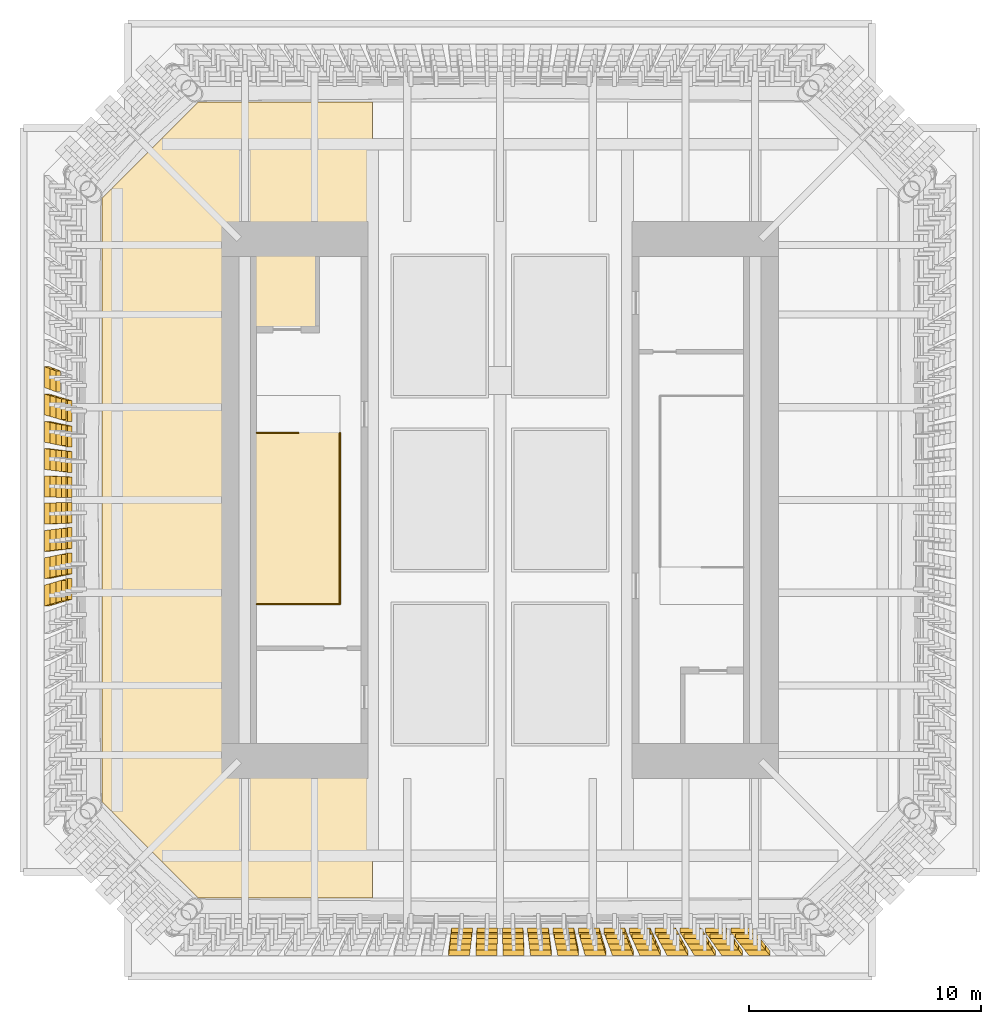
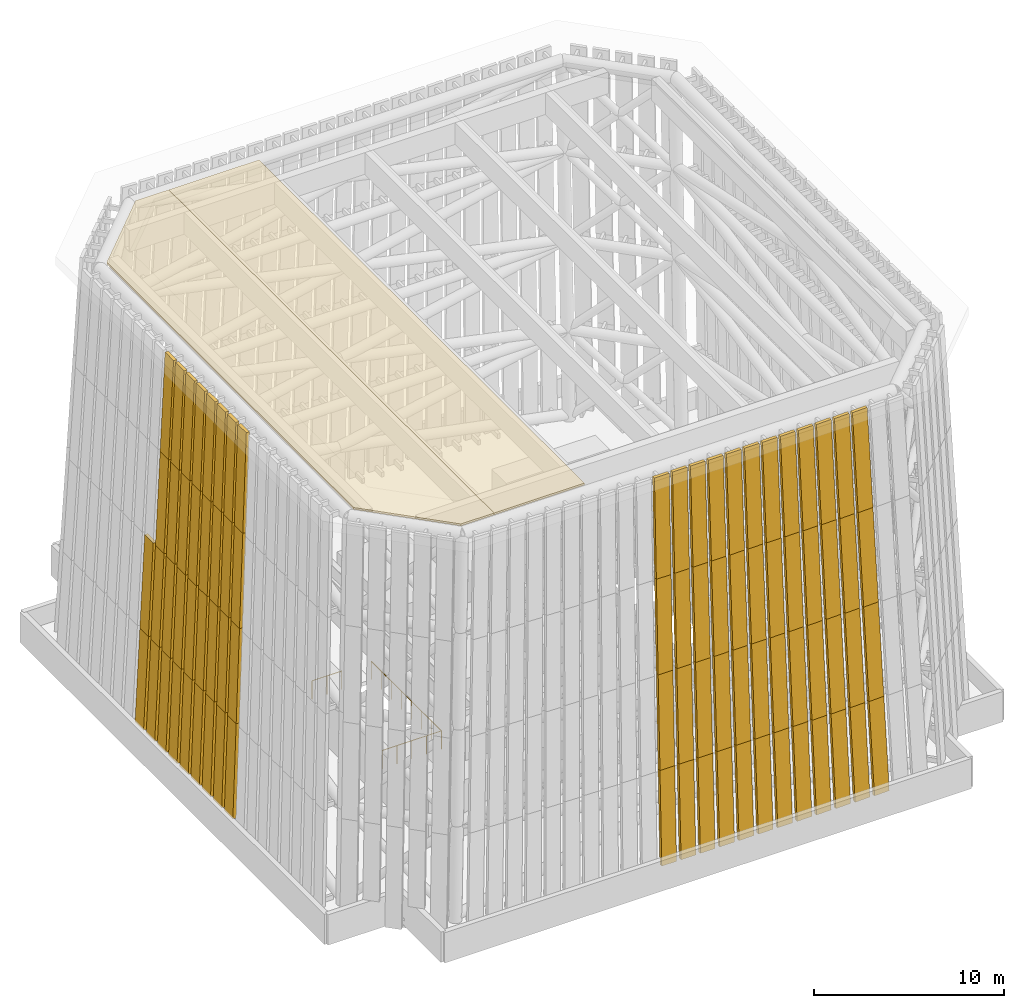
# One storey, part 8 of 13: 82 shading devices, 2 coverings, 2 railings.
"""IFC4 building model written with IfcOpenShell, lengths in metres."""

from ifc_helpers import new_model, si_unit, direction, frame, origin, origin_2d, place, context, subcontext, project, spatial, polyline, rectangle, circle, outline, extrude, source, transform, mapped, material, layer, layer_set, material_profile, profile_set, type_object, element, save


model = new_model("IFC4")

# Units and contexts
model_context = context("Model", 3, precision=1e-05, world=origin(), true_north=direction((0.0, 1.0)))
body_context = subcontext(model_context, "Body", "Model", "MODEL_VIEW")
ifc_project = project(units=[si_unit("LENGTHUNIT", "METRE"), si_unit("AREAUNIT", "SQUARE_METRE"), si_unit("VOLUMEUNIT", "CUBIC_METRE"), si_unit("PLANEANGLEUNIT", "RADIAN"), si_unit("MASSUNIT", "GRAM", prefix="KILO")], contexts=[model_context])

# Site, building, storey
site_placement = place(None, origin())
site = spatial("IfcSite", under=ifc_project, at=site_placement, CompositionType="ELEMENT")
building_placement = place(site_placement, origin())
building = spatial("IfcBuilding", under=site, at=building_placement, Name="Peilmerk Tower", CompositionType="ELEMENT")
storey_placement = place(building_placement, frame((0.0, 0.0, 307.800048828125)))
storey = spatial("IfcBuildingStorey", under=building, at=storey_placement, Name="RF", CompositionType="ELEMENT", Elevation=307.800048828125)

# Railings
ifc_material_1 = material(Name="Steel flat bar balustrade", Category="steel")
railing_type = type_object("IfcRailingType", Name="GR1 1200 stair guard", PredefinedType="GUARDRAIL", material=ifc_material_1)
railing_1_placement = place(storey_placement, frame((-10.5, 2.89990234375, 0.0)))
element("IfcRailing", 1, at=railing_1_placement, inside=storey, type_object=railing_type, Name="Guard stair 1 RF", PredefinedType="GUARDRAIL", context=body_context, shape_type="SweptSolid", body=[
    extrude(circle(Radius=0.02392578125, at=origin_2d()), frame((0.0, 0.0, 1.17578125), z_axis=(1.0, 0.0, 0.0), x_axis=(0.0, 1.0, 0.0)), (0.0, 0.0, 1.0), 1.800048828125),
    extrude(circle(Radius=0.02099609375, at=origin_2d()), origin(), (0.0, 0.0, 1.0), 1.15185546875),
    extrude(circle(Radius=0.02099609375, at=origin_2d()), frame((0.89990234375, 0.0, 0.0)), (0.0, 0.0, 1.0), 1.15185546875),
    extrude(circle(Radius=0.02099609375, at=origin_2d()), frame((1.800048828125, 0.0, 0.0)), (0.0, 0.0, 1.0), 1.15185546875),
])
railing_2_placement = place(storey_placement, frame((-10.5, -4.5, 0.0)))
element("IfcRailing", 2, at=railing_2_placement, inside=storey, type_object=railing_type, Name="Guard stair 1 RF well", PredefinedType="GUARDRAIL", context=body_context, shape_type="SweptSolid", body=[
    extrude(circle(Radius=0.02392578125, at=origin_2d()), frame((0.0, 0.0, 1.17578125), z_axis=(1.0, 0.0, 0.0), x_axis=(0.0, 1.0, 0.0)), (0.0, 0.0, 1.0), 3.60009765625),
    extrude(circle(Radius=0.02392578125, at=origin_2d()), frame((3.60009765625, 0.0, 1.17578125), z_axis=(0.0, 1.0, 0.0), x_axis=(-1.0, 0.0, 0.0)), (0.0, 0.0, 1.0), 7.39990234375),
    extrude(circle(Radius=0.02099609375, at=origin_2d()), origin(), (0.0, 0.0, 1.0), 1.15185546875),
    extrude(circle(Radius=0.02099609375, at=origin_2d()), frame((0.89990234375, 0.0, 0.0)), (0.0, 0.0, 1.0), 1.15185546875),
    extrude(circle(Radius=0.02099609375, at=origin_2d()), frame((1.800048828125, 0.0, 0.0)), (0.0, 0.0, 1.0), 1.15185546875),
    extrude(circle(Radius=0.02099609375, at=origin_2d()), frame((2.7001953125, 0.0, 0.0)), (0.0, 0.0, 1.0), 1.15185546875),
    extrude(circle(Radius=0.02099609375, at=origin_2d()), frame((3.60009765625, 0.0, 0.0)), (0.0, 0.0, 1.0), 1.15185546875),
    extrude(circle(Radius=0.02099609375, at=origin_2d()), frame((3.60009765625, 1.05712890625, 0.0)), (0.0, 0.0, 1.0), 1.15185546875),
    extrude(circle(Radius=0.02099609375, at=origin_2d()), frame((3.60009765625, 2.1142578125, 0.0)), (0.0, 0.0, 1.0), 1.15185546875),
    extrude(circle(Radius=0.02099609375, at=origin_2d()), frame((3.60009765625, 3.17138671875, 0.0)), (0.0, 0.0, 1.0), 1.15185546875),
    extrude(circle(Radius=0.02099609375, at=origin_2d()), frame((3.60009765625, 4.228515625, 0.0)), (0.0, 0.0, 1.0), 1.15185546875),
    extrude(circle(Radius=0.02099609375, at=origin_2d()), frame((3.60009765625, 5.28564453125, 0.0)), (0.0, 0.0, 1.0), 1.15185546875),
    extrude(circle(Radius=0.02099609375, at=origin_2d()), frame((3.60009765625, 6.3427734375, 0.0)), (0.0, 0.0, 1.0), 1.15185546875),
    extrude(circle(Radius=0.02099609375, at=origin_2d()), frame((3.60009765625, 7.39990234375, 0.0)), (0.0, 0.0, 1.0), 1.15185546875),
])

# Coverings
ifc_material_2 = material(Name="Aluminium EN AW-6063 T6", Category="aluminium")
ifc_layer = layer(ifc_material_2, 0.1201171875)
ifc_layer_set = layer_set([ifc_layer], Name="Aluminium EN AW-6063 T6")
covering_type = type_object("IfcCoveringType", Name="LV1 120 louvre roof bay", PredefinedType="USERDEFINED", material=ifc_layer_set)
covering_1_placement = place(storey_placement, frame((0.0, 0.0, 24.199951171875)))
element("IfcCovering", 3, at=covering_1_placement, inside=storey, type_object=covering_type, Name="Crown louvre roof bay 1", ObjectType="LOUVRE ROOF", PredefinedType="USERDEFINED", context=body_context, shape_type="SweptSolid", body=[
    extrude(outline(polyline([(-13.0205078125, -17.162353515625), (-11.0, -17.162353515625), (-11.0, 17.162353515625), (-13.0205078125, 17.162353515625), (-17.162353515625, 13.0205078125), (-17.162353515625, -13.0205078125), (-13.0205078125, -17.162353515625)])), origin(), (0.0, 0.0, 1.0), 0.1201171875),
])
covering_2_placement = place(storey_placement, frame((0.0, 0.0, 24.199951171875)))
element("IfcCovering", 4, at=covering_2_placement, inside=storey, type_object=covering_type, Name="Crown louvre roof bay 2", ObjectType="LOUVRE ROOF", PredefinedType="USERDEFINED", context=body_context, shape_type="SweptSolid", body=[
    extrude(outline(polyline([(-11.0, -17.162353515625), (-5.5, -17.162353515625), (-5.5, 17.162353515625), (-11.0, 17.162353515625), (-11.0, -17.162353515625)])), origin(), (0.0, 0.0, 1.0), 0.1201171875),
])

# Shading devices
ifc_material_3 = material(Name="GRP composite, board-marked concrete finish", Category="concrete")
ifc_material_profile = material_profile(ifc_material_3, rectangle(XDim=0.199951171875, YDim=0.89990234375, at=origin_2d()), Name="CF1 200x900")
ifc_profile_set = profile_set([ifc_material_profile], Name="GRP composite, board-marked concrete finish")
shading_device_type = type_object("IfcShadingDeviceType", Name="CF1 200x900 GRP crown fin", PredefinedType="USERDEFINED", material=ifc_profile_set)
shared_shape_1 = source(origin(), body_context, "Body", "SweptSolid", [
    extrude(rectangle(XDim=0.199951171875, YDim=0.89990234375, at=origin_2d()), origin(), (0.0, 0.0, 1.0), 6.0078125),
])
for number, where, z_axis, x_axis, name in (
    (5, (11.190673828125, -19.541015625, 0.0), (-0.031899551915, 0.04027064452, 0.998679474996), (-0.001285658431, -0.999188808579, 0.040250116676), "Crown fin CF1 SE_S 3 tier 1"),
    (6, (10.9990234375, -19.299072265625, 6.0), (-0.031858956815, 0.040270696689, 0.998680768744), (-0.001284023979, -0.999188806477, 0.040250221046), "Crown fin CF1 SE_S 3 tier 2"),
    (7, (10.8076171875, -19.05712890625, 12.0), (-0.031899551915, 0.04027064452, 0.998679474996), (-0.001285658431, -0.999188808579, 0.040250116676), "Crown fin CF1 SE_S 3 tier 3"),
):
    element("IfcShadingDevice", number, at=place(storey_placement, frame(where, z_axis=z_axis, x_axis=x_axis)), inside=storey, type_object=shading_device_type, Name=name, ObjectType="CROWN FIN", PredefinedType="USERDEFINED", context=body_context, shape_type="MappedRepresentation", body=[
        mapped(shared_shape_1, transform((0.0, 0.0, 0.0), scale=1.0)),
    ])
shared_shape_2 = source(origin(), body_context, "Body", "SweptSolid", [
    extrude(rectangle(XDim=0.199951171875, YDim=0.89990234375, at=origin_2d()), origin(), (0.0, 0.0, 1.0), 6.36376953125),
])
shading_device_1_placement = place(storey_placement, frame((10.615966796875, -18.815185546875, 18.0), z_axis=(-0.031880100984, 0.040281716045, 0.998679649594), x_axis=(-0.001285228315, -0.999188362298, 0.040261207578)))
element("IfcShadingDevice", 8, at=shading_device_1_placement, inside=storey, type_object=shading_device_type, Name="Crown fin CF1 SE_S 3 tier 4", ObjectType="CROWN FIN", PredefinedType="USERDEFINED", context=body_context, shape_type="MappedRepresentation", body=[
    mapped(shared_shape_2, transform((0.0, 0.0, 0.0), scale=1.0)),
])
shared_shape_3 = source(origin(), body_context, "Body", "SweptSolid", [
    extrude(rectangle(XDim=0.199951171875, YDim=0.89990234375, at=origin_2d()), origin(), (0.0, 0.0, 1.0), 6.00732421875),
])
for number, where, z_axis, x_axis, name in (
    (9, (10.0126953125, -19.541015625, 0.0), (-0.028529640468, 0.040274748865, 0.998781259445), (-0.001149957131, -0.999188643152, 0.040258328266), "Crown fin CF1 SE_S 4 tier 1"),
    (10, (9.84130859375, -19.299072265625, 6.0), (-0.028529640468, 0.040274748865, 0.998781259445), (-0.001149957131, -0.999188643152, 0.040258328266), "Crown fin CF1 SE_S 4 tier 2"),
    (11, (9.669921875, -19.05712890625, 12.0), (-0.028529640468, 0.040274748865, 0.998781259445), (-0.001149957131, -0.999188643152, 0.040258328266), "Crown fin CF1 SE_S 4 tier 3"),
):
    element("IfcShadingDevice", number, at=place(storey_placement, frame(where, z_axis=z_axis, x_axis=x_axis)), inside=storey, type_object=shading_device_type, Name=name, ObjectType="CROWN FIN", PredefinedType="USERDEFINED", context=body_context, shape_type="MappedRepresentation", body=[
        mapped(shared_shape_3, transform((0.0, 0.0, 0.0), scale=1.0)),
    ])
shared_shape_4 = source(origin(), body_context, "Body", "SweptSolid", [
    extrude(rectangle(XDim=0.199951171875, YDim=0.89990234375, at=origin_2d()), origin(), (0.0, 0.0, 1.0), 6.36328125),
])
shading_device_2_placement = place(storey_placement, frame((9.49853515625, -18.815185546875, 18.0), z_axis=(-0.028545351571, 0.040285778427, 0.998780365726), x_axis=(-0.001150906016, -0.999188198517, 0.040269335217)))
element("IfcShadingDevice", 12, at=shading_device_2_placement, inside=storey, type_object=shading_device_type, Name="Crown fin CF1 SE_S 4 tier 4", ObjectType="CROWN FIN", PredefinedType="USERDEFINED", context=body_context, shape_type="MappedRepresentation", body=[
    mapped(shared_shape_4, transform((0.0, 0.0, 0.0), scale=1.0)),
])
shared_shape_5 = source(origin(), body_context, "Body", "SweptSolid", [
    extrude(rectangle(XDim=0.199951171875, YDim=0.89990234375, at=origin_2d()), origin(), (0.0, 0.0, 1.0), 6.0068359375),
])
for number, where, z_axis, x_axis, name in (
    (13, (8.834716796875, -19.541015625, 0.0), (-0.025199374381, 0.040278354858, 0.998870685154), (-0.001015813679, -0.999188497797, 0.040265543491), "Crown fin CF1 SE_S 5 tier 1"),
    (14, (8.683349609375, -19.299072265625, 6.0), (-0.025158755976, 0.040278396078, 0.998871707381), (-0.001014177347, -0.999188496135, 0.040265625972), "Crown fin CF1 SE_S 5 tier 2"),
    (15, (8.5322265625, -19.05712890625, 12.0), (-0.025158755976, 0.040278396078, 0.998871707381), (-0.001014177347, -0.999188496135, 0.040265625972), "Crown fin CF1 SE_S 5 tier 3"),
):
    element("IfcShadingDevice", number, at=place(storey_placement, frame(where, z_axis=z_axis, x_axis=x_axis)), inside=storey, type_object=shading_device_type, Name=name, ObjectType="CROWN FIN", PredefinedType="USERDEFINED", context=body_context, shape_type="MappedRepresentation", body=[
        mapped(shared_shape_5, transform((0.0, 0.0, 0.0), scale=1.0)),
    ])
shared_shape_6 = source(origin(), body_context, "Body", "SweptSolid", [
    extrude(rectangle(XDim=0.199951171875, YDim=0.89990234375, at=origin_2d()), origin(), (0.0, 0.0, 1.0), 6.362548828125),
])
shading_device_3_placement = place(storey_placement, frame((8.381103515625, -18.815185546875, 18.0), z_axis=(-0.025171302271, 0.040289431989, 0.998870946225), x_axis=(-0.001014961568, -0.999188051205, 0.040276645628)))
element("IfcShadingDevice", 16, at=shading_device_3_placement, inside=storey, type_object=shading_device_type, Name="Crown fin CF1 SE_S 5 tier 4", ObjectType="CROWN FIN", PredefinedType="USERDEFINED", context=body_context, shape_type="MappedRepresentation", body=[
    mapped(shared_shape_6, transform((0.0, 0.0, 0.0), scale=1.0)),
])
shared_shape_7 = source(origin(), body_context, "Body", "SweptSolid", [
    extrude(rectangle(XDim=0.199951171875, YDim=0.89990234375, at=origin_2d()), origin(), (0.0, 0.0, 1.0), 6.00634765625),
])
for number, where, z_axis, x_axis, name in (
    (17, (7.65673828125, -19.541015625, 0.0), (-0.021827641163, 0.04028155008, 0.998949924072), (-0.000879965428, -0.999188368989, 0.040271937347), "Crown fin CF1 SE_S 6 tier 1"),
    (18, (7.525634765625, -19.299072265625, 6.0), (-0.021827641163, 0.04028155008, 0.998949924072), (-0.000879965428, -0.999188368989, 0.040271937347), "Crown fin CF1 SE_S 6 tier 2"),
    (19, (7.39453125, -19.05712890625, 12.0), (-0.021787013099, 0.040281585786, 0.998950809553), (-0.000878328317, -0.99918836755, 0.0402720088), "Crown fin CF1 SE_S 6 tier 3"),
):
    element("IfcShadingDevice", number, at=place(storey_placement, frame(where, z_axis=z_axis, x_axis=x_axis)), inside=storey, type_object=shading_device_type, Name=name, ObjectType="CROWN FIN", PredefinedType="USERDEFINED", context=body_context, shape_type="MappedRepresentation", body=[
        mapped(shared_shape_7, transform((0.0, 0.0, 0.0), scale=1.0)),
    ])
shared_shape_8 = source(origin(), body_context, "Body", "SweptSolid", [
    extrude(rectangle(XDim=0.199951171875, YDim=0.89990234375, at=origin_2d()), origin(), (0.0, 0.0, 1.0), 6.362060546875),
])
shading_device_4_placement = place(storey_placement, frame((7.263671875, -18.815185546875, 18.0), z_axis=(-0.021834748195, 0.04029259333, 0.998949323386), x_axis=(-0.000880493657, -0.999187923727, 0.04028297169)))
element("IfcShadingDevice", 20, at=shading_device_4_placement, inside=storey, type_object=shading_device_type, Name="Crown fin CF1 SE_S 6 tier 4", ObjectType="CROWN FIN", PredefinedType="USERDEFINED", context=body_context, shape_type="MappedRepresentation", body=[
    mapped(shared_shape_8, transform((0.0, 0.0, 0.0), scale=1.0)),
])
shared_shape_9 = source(origin(), body_context, "Body", "SweptSolid", [
    extrude(rectangle(XDim=0.199951171875, YDim=0.89990234375, at=origin_2d()), origin(), (0.0, 0.0, 1.0), 6.005859375),
])
for number, where, z_axis, x_axis, name in (
    (21, (6.478759765625, -19.541015625, 0.0), (-0.01845516298, 0.040284287473, 0.999017809222), (-0.000744057073, -0.999188258629, 0.040277415462), "Crown fin CF1 SE_S 7 tier 1"),
    (22, (6.367919921875, -19.299072265625, 6.0), (-0.01845516298, 0.040284287473, 0.999017809222), (-0.000744057073, -0.999188258629, 0.040277415462), "Crown fin CF1 SE_S 7 tier 2"),
    (23, (6.257080078125, -19.05712890625, 12.0), (-0.018495799227, 0.040284257218, 0.999017058929), (-0.000745694844, -0.999188259849, 0.040277354914), "Crown fin CF1 SE_S 7 tier 3"),
):
    element("IfcShadingDevice", number, at=place(storey_placement, frame(where, z_axis=z_axis, x_axis=x_axis)), inside=storey, type_object=shading_device_type, Name=name, ObjectType="CROWN FIN", PredefinedType="USERDEFINED", context=body_context, shape_type="MappedRepresentation", body=[
        mapped(shared_shape_9, transform((0.0, 0.0, 0.0), scale=1.0)),
    ])
shared_shape_10 = source(origin(), body_context, "Body", "SweptSolid", [
    extrude(rectangle(XDim=0.199951171875, YDim=0.89990234375, at=origin_2d()), origin(), (0.0, 0.0, 1.0), 6.36181640625),
])
shading_device_5_placement = place(storey_placement, frame((6.14599609375, -18.815185546875, 18.0), z_axis=(-0.018459100989, 0.040295334799, 0.999017290934), x_axis=(-0.000744420263, -0.999187813173, 0.040288457963)))
element("IfcShadingDevice", 24, at=shading_device_5_placement, inside=storey, type_object=shading_device_type, Name="Crown fin CF1 SE_S 7 tier 4", ObjectType="CROWN FIN", PredefinedType="USERDEFINED", context=body_context, shape_type="MappedRepresentation", body=[
    mapped(shared_shape_10, transform((0.0, 0.0, 0.0), scale=1.0)),
])
shared_shape_11 = source(origin(), body_context, "Body", "SweptSolid", [
    extrude(rectangle(XDim=0.199951171875, YDim=0.89990234375, at=origin_2d()), origin(), (0.0, 0.0, 1.0), 6.005615234375),
])
for number, where, z_axis, x_axis, name in (
    (25, (5.30078125, -19.541015625, 0.0), (-0.015122697914, 0.040286542024, 0.999073720273), (-0.000609736209, -0.99918816773, 0.040281927586), "Crown fin CF1 SE_S 8 tier 1"),
    (26, (5.2099609375, -19.299072265625, 6.0), (-0.01508205476, 0.040286566758, 0.999074333652), (-0.00060809788, -0.999188166733, 0.040281977088), "Crown fin CF1 SE_S 8 tier 2"),
    (27, (5.119384765625, -19.05712890625, 12.0), (-0.015122697914, 0.040286542024, 0.999073720273), (-0.000609736209, -0.99918816773, 0.040281927586), "Crown fin CF1 SE_S 8 tier 3"),
    (28, (-19.541015625, 5.30078125, 0.0), (0.040286542024, -0.015122697914, 0.999073720273), (-0.99918816773, -0.000609736209, 0.040281927586), "Crown fin CF1 SW_W 17 tier 1"),
    (29, (-19.299072265625, 5.2099609375, 6.0), (0.040286566758, -0.01508205476, 0.999074333652), (-0.999188166733, -0.00060809788, 0.040281977088), "Crown fin CF1 SW_W 17 tier 2"),
):
    element("IfcShadingDevice", number, at=place(storey_placement, frame(where, z_axis=z_axis, x_axis=x_axis)), inside=storey, type_object=shading_device_type, Name=name, ObjectType="CROWN FIN", PredefinedType="USERDEFINED", context=body_context, shape_type="MappedRepresentation", body=[
        mapped(shared_shape_11, transform((0.0, 0.0, 0.0), scale=1.0)),
    ])
shared_shape_12 = source(origin(), body_context, "Body", "SweptSolid", [
    extrude(rectangle(XDim=0.199951171875, YDim=0.89990234375, at=origin_2d()), origin(), (0.0, 0.0, 1.0), 6.361328125),
])
shading_device_6_placement = place(storey_placement, frame((5.028564453125, -18.815185546875, 18.0), z_axis=(-0.015082822427, 0.040297617172, 0.999073876406), x_axis=(-0.00060829591, -0.999187721127, 0.040293025772)))
element("IfcShadingDevice", 30, at=shading_device_6_placement, inside=storey, type_object=shading_device_type, Name="Crown fin CF1 SE_S 8 tier 4", ObjectType="CROWN FIN", PredefinedType="USERDEFINED", context=body_context, shape_type="MappedRepresentation", body=[
    mapped(shared_shape_12, transform((0.0, 0.0, 0.0), scale=1.0)),
])
shared_shape_13 = source(origin(), body_context, "Body", "SweptSolid", [
    extrude(rectangle(XDim=0.199951171875, YDim=0.89990234375, at=origin_2d()), origin(), (0.0, 0.0, 1.0), 6.00537109375),
])
for number, where, z_axis, x_axis, name in (
    (31, (4.122802734375, -19.541015625, 0.0), (-0.011749080216, 0.040288368491, 0.999119015172), (-0.000473735902, -0.999188094087, 0.040285583153), "Crown fin CF1 SE_S 9 tier 1"),
    (32, (4.05224609375, -19.299072265625, 6.0), (-0.011749080216, 0.040288368491, 0.999119015172), (-0.000473735902, -0.999188094087, 0.040285583153), "Crown fin CF1 SE_S 9 tier 2"),
    (33, (3.981689453125, -19.05712890625, 12.0), (-0.011749080216, 0.040288368491, 0.999119015172), (-0.000473735902, -0.999188094087, 0.040285583153), "Crown fin CF1 SE_S 9 tier 3"),
    (34, (-19.541015625, -4.122802734375, 0.0), (0.040288368491, 0.011749080216, 0.999119015172), (-0.999188094087, 0.000473735902, 0.040285583153), "Crown fin CF1 SW_W 9 tier 1"),
    (35, (-19.299072265625, -4.05224609375, 6.0), (0.040288368491, 0.011749080216, 0.999119015172), (-0.999188094087, 0.000473735902, 0.040285583153), "Crown fin CF1 SW_W 9 tier 2"),
    (36, (-19.05712890625, -3.981689453125, 12.0), (0.040288368491, 0.011749080216, 0.999119015172), (-0.999188094087, 0.000473735902, 0.040285583153), "Crown fin CF1 SW_W 9 tier 3"),
    (37, (-19.541015625, 4.122802734375, 0.0), (0.040288368491, -0.011749080216, 0.999119015172), (-0.999188094087, -0.000473735902, 0.040285583153), "Crown fin CF1 SW_W 16 tier 1"),
    (38, (-19.299072265625, 4.05224609375, 6.0), (0.040288368491, -0.011749080216, 0.999119015172), (-0.999188094087, -0.000473735902, 0.040285583153), "Crown fin CF1 SW_W 16 tier 2"),
    (39, (-19.05712890625, 3.981689453125, 12.0), (0.040288368491, -0.011749080216, 0.999119015172), (-0.999188094087, -0.000473735902, 0.040285583153), "Crown fin CF1 SW_W 16 tier 3"),
):
    element("IfcShadingDevice", number, at=place(storey_placement, frame(where, z_axis=z_axis, x_axis=x_axis)), inside=storey, type_object=shading_device_type, Name=name, ObjectType="CROWN FIN", PredefinedType="USERDEFINED", context=body_context, shape_type="MappedRepresentation", body=[
        mapped(shared_shape_13, transform((0.0, 0.0, 0.0), scale=1.0)),
    ])
shared_shape_14 = source(origin(), body_context, "Body", "SweptSolid", [
    extrude(rectangle(XDim=0.199951171875, YDim=0.89990234375, at=origin_2d()), origin(), (0.0, 0.0, 1.0), 6.361083984375),
])
for number, where, z_axis, x_axis, name in (
    (40, (3.9111328125, -18.815185546875, 18.0), (-0.011744403006, 0.04029942208, 0.999118624378), (-0.000473677446, -0.999187648332, 0.040296638193), "Crown fin CF1 SE_S 9 tier 4"),
    (41, (-18.815185546875, -3.9111328125, 18.0), (0.04029942208, 0.011744403006, 0.999118624378), (-0.999187648332, 0.000473677446, 0.040296638193), "Crown fin CF1 SW_W 9 tier 4"),
    (42, (-18.815185546875, 3.9111328125, 18.0), (0.04029942208, -0.011744403006, 0.999118624378), (-0.999187648332, -0.000473677446, 0.040296638193), "Crown fin CF1 SW_W 16 tier 4"),
):
    element("IfcShadingDevice", number, at=place(storey_placement, frame(where, z_axis=z_axis, x_axis=x_axis)), inside=storey, type_object=shading_device_type, Name=name, ObjectType="CROWN FIN", PredefinedType="USERDEFINED", context=body_context, shape_type="MappedRepresentation", body=[
        mapped(shared_shape_14, transform((0.0, 0.0, 0.0), scale=1.0)),
    ])
shared_shape_15 = source(origin(), body_context, "Body", "SweptSolid", [
    extrude(rectangle(XDim=0.199951171875, YDim=0.89990234375, at=origin_2d()), origin(), (0.0, 0.0, 1.0), 6.005126953125),
])
for number, where, z_axis, x_axis, name in (
    (43, (2.94482421875, -19.541015625, 0.0), (-0.008375061256, 0.040289736431, 0.999152938987), (-0.000337703212, -0.999188038929, 0.040288321115), "Crown fin CF1 SE_S 10 tier 1"),
    (44, (2.89453125, -19.299072265625, 6.0), (-0.008415714021, 0.04028972268, 0.999152597957), (-0.000339342317, -0.999188039483, 0.04028829359), "Crown fin CF1 SE_S 10 tier 2"),
    (45, (2.843994140625, -19.05712890625, 12.0), (-0.008375061256, 0.040289736431, 0.999152938987), (-0.000337703212, -0.999188038929, 0.040288321115), "Crown fin CF1 SE_S 10 tier 3"),
    (46, (-19.541015625, -2.94482421875, 0.0), (0.040289736431, 0.008375061256, 0.999152938987), (-0.999188038929, 0.000337703212, 0.040288321115), "Crown fin CF1 SW_W 10 tier 1"),
    (47, (-19.299072265625, -2.89453125, 6.0), (0.04028972268, 0.008415714021, 0.999152597957), (-0.999188039483, 0.000339342317, 0.04028829359), "Crown fin CF1 SW_W 10 tier 2"),
    (48, (-19.05712890625, -2.843994140625, 12.0), (0.040289736431, 0.008375061256, 0.999152938987), (-0.999188038929, 0.000337703212, 0.040288321115), "Crown fin CF1 SW_W 10 tier 3"),
    (49, (-19.541015625, 2.94482421875, 0.0), (0.040289736431, -0.008375061256, 0.999152938987), (-0.999188038929, -0.000337703212, 0.040288321115), "Crown fin CF1 SW_W 15 tier 1"),
    (50, (-19.299072265625, 2.89453125, 6.0), (0.04028972268, -0.008415714021, 0.999152597957), (-0.999188039483, -0.000339342317, 0.04028829359), "Crown fin CF1 SW_W 15 tier 2"),
    (51, (-19.05712890625, 2.843994140625, 12.0), (0.040289736431, -0.008375061256, 0.999152938987), (-0.999188038929, -0.000337703212, 0.040288321115), "Crown fin CF1 SW_W 15 tier 3"),
):
    element("IfcShadingDevice", number, at=place(storey_placement, frame(where, z_axis=z_axis, x_axis=x_axis)), inside=storey, type_object=shading_device_type, Name=name, ObjectType="CROWN FIN", PredefinedType="USERDEFINED", context=body_context, shape_type="MappedRepresentation", body=[
        mapped(shared_shape_15, transform((0.0, 0.0, 0.0), scale=1.0)),
    ])
shared_shape_16 = source(origin(), body_context, "Body", "SweptSolid", [
    extrude(rectangle(XDim=0.199951171875, YDim=0.89990234375, at=origin_2d()), origin(), (0.0, 0.0, 1.0), 6.36083984375),
])
for number, where, z_axis, x_axis, name in (
    (52, (2.793701171875, -18.815185546875, 18.0), (-0.00840559081, 0.040300777858, 0.999152237323), (-0.000339027276, -0.99918759365, 0.040299351812), "Crown fin CF1 SE_S 10 tier 4"),
    (53, (-18.815185546875, -2.793701171875, 18.0), (0.040300777858, 0.00840559081, 0.999152237323), (-0.99918759365, 0.000339027276, 0.040299351812), "Crown fin CF1 SW_W 10 tier 4"),
    (54, (-18.815185546875, 2.793701171875, 18.0), (0.040300777858, -0.00840559081, 0.999152237323), (-0.99918759365, -0.000339027276, 0.040299351812), "Crown fin CF1 SW_W 15 tier 4"),
):
    element("IfcShadingDevice", number, at=place(storey_placement, frame(where, z_axis=z_axis, x_axis=x_axis)), inside=storey, type_object=shading_device_type, Name=name, ObjectType="CROWN FIN", PredefinedType="USERDEFINED", context=body_context, shape_type="MappedRepresentation", body=[
        mapped(shared_shape_16, transform((0.0, 0.0, 0.0), scale=1.0)),
    ])
shared_shape_17 = source(origin(), body_context, "Body", "SweptSolid", [
    extrude(rectangle(XDim=0.199951171875, YDim=0.89990234375, at=origin_2d()), origin(), (0.0, 0.0, 1.0), 6.0048828125),
])
for number, where, z_axis, x_axis, name in (
    (55, (1.766845703125, -19.541015625, 0.0), (-0.005041411753, 0.04029063748, 0.999175284271), (-0.000203286762, -0.999188002596, 0.040290124634), "Crown fin CF1 SE_S 11 tier 1"),
    (56, (1.736572265625, -19.299072265625, 6.0), (-0.005000756228, 0.040290645705, 0.999175488243), (-0.000201647435, -0.999188002264, 0.040290141097), "Crown fin CF1 SE_S 11 tier 2"),
    (57, (1.70654296875, -19.05712890625, 12.0), (-0.005041411753, 0.04029063748, 0.999175284271), (-0.000203286762, -0.999188002596, 0.040290124634), "Crown fin CF1 SE_S 11 tier 3"),
    (58, (0.5888671875, -19.541015625, 0.0), (-0.00166693727, 0.040291093522, 0.999186593737), (-6.7217307e-05, -0.999187984207, 0.040291037453), "Crown fin CF1 SE_S 12 tier 1"),
    (59, (0.578857421875, -19.299072265625, 6.0), (-0.00166693727, 0.040291093522, 0.999186593737), (-6.7217307e-05, -0.999187984207, 0.040291037453), "Crown fin CF1 SE_S 12 tier 2"),
    (60, (0.56884765625, -19.05712890625, 12.0), (-0.00166693727, 0.040291093522, 0.999186593737), (-6.7217307e-05, -0.999187984207, 0.040291037453), "Crown fin CF1 SE_S 12 tier 3"),
    (61, (-0.5888671875, -19.541015625, 0.0), (0.00166693727, 0.040291093522, 0.999186593737), (6.7217307e-05, -0.999187984207, 0.040291037453), "Crown fin CF1 SE_S 13 tier 1"),
    (62, (-0.578857421875, -19.299072265625, 6.0), (0.00166693727, 0.040291093522, 0.999186593737), (6.7217307e-05, -0.999187984207, 0.040291037453), "Crown fin CF1 SE_S 13 tier 2"),
    (63, (-0.56884765625, -19.05712890625, 12.0), (0.00166693727, 0.040291093522, 0.999186593737), (6.7217307e-05, -0.999187984207, 0.040291037453), "Crown fin CF1 SE_S 13 tier 3"),
    (64, (-1.766845703125, -19.541015625, 0.0), (0.005041411753, 0.04029063748, 0.999175284271), (0.000203286762, -0.999188002596, 0.040290124634), "Crown fin CF1 SE_S 14 tier 1"),
    (65, (-1.736572265625, -19.299072265625, 6.0), (0.005000756228, 0.040290645705, 0.999175488243), (0.000201647435, -0.999188002264, 0.040290141097), "Crown fin CF1 SE_S 14 tier 2"),
    (66, (-1.70654296875, -19.05712890625, 12.0), (0.005041411753, 0.04029063748, 0.999175284271), (0.000203286762, -0.999188002596, 0.040290124634), "Crown fin CF1 SE_S 14 tier 3"),
    (67, (-19.541015625, -1.766845703125, 0.0), (0.04029063748, 0.005041411753, 0.999175284271), (-0.999188002596, 0.000203286762, 0.040290124634), "Crown fin CF1 SW_W 11 tier 1"),
    (68, (-19.299072265625, -1.736572265625, 6.0), (0.040290645705, 0.005000756228, 0.999175488243), (-0.999188002264, 0.000201647435, 0.040290141097), "Crown fin CF1 SW_W 11 tier 2"),
    (69, (-19.05712890625, -1.70654296875, 12.0), (0.04029063748, 0.005041411753, 0.999175284271), (-0.999188002596, 0.000203286762, 0.040290124634), "Crown fin CF1 SW_W 11 tier 3"),
    (70, (-19.541015625, -0.5888671875, 0.0), (0.040291093522, 0.00166693727, 0.999186593737), (-0.999187984207, 6.7217307e-05, 0.040291037453), "Crown fin CF1 SW_W 12 tier 1"),
    (71, (-19.299072265625, -0.578857421875, 6.0), (0.040291093522, 0.00166693727, 0.999186593737), (-0.999187984207, 6.7217307e-05, 0.040291037453), "Crown fin CF1 SW_W 12 tier 2"),
    (72, (-19.05712890625, -0.56884765625, 12.0), (0.040291093522, 0.00166693727, 0.999186593737), (-0.999187984207, 6.7217307e-05, 0.040291037453), "Crown fin CF1 SW_W 12 tier 3"),
    (73, (-19.541015625, 0.5888671875, 0.0), (0.040291093522, -0.00166693727, 0.999186593737), (-0.999187984207, -6.7217307e-05, 0.040291037453), "Crown fin CF1 SW_W 13 tier 1"),
    (74, (-19.299072265625, 0.578857421875, 6.0), (0.040291093522, -0.00166693727, 0.999186593737), (-0.999187984207, -6.7217307e-05, 0.040291037453), "Crown fin CF1 SW_W 13 tier 2"),
    (75, (-19.05712890625, 0.56884765625, 12.0), (0.040291093522, -0.00166693727, 0.999186593737), (-0.999187984207, -6.7217307e-05, 0.040291037453), "Crown fin CF1 SW_W 13 tier 3"),
    (76, (-19.541015625, 1.766845703125, 0.0), (0.04029063748, -0.005041411753, 0.999175284271), (-0.999188002596, -0.000203286762, 0.040290124634), "Crown fin CF1 SW_W 14 tier 1"),
    (77, (-19.299072265625, 1.736572265625, 6.0), (0.040290645705, -0.005000756228, 0.999175488243), (-0.999188002264, -0.000201647435, 0.040290141097), "Crown fin CF1 SW_W 14 tier 2"),
    (78, (-19.05712890625, 1.70654296875, 12.0), (0.04029063748, -0.005041411753, 0.999175284271), (-0.999188002596, -0.000203286762, 0.040290124634), "Crown fin CF1 SW_W 14 tier 3"),
):
    element("IfcShadingDevice", number, at=place(storey_placement, frame(where, z_axis=z_axis, x_axis=x_axis)), inside=storey, type_object=shading_device_type, Name=name, ObjectType="CROWN FIN", PredefinedType="USERDEFINED", context=body_context, shape_type="MappedRepresentation", body=[
        mapped(shared_shape_17, transform((0.0, 0.0, 0.0), scale=1.0)),
    ])
shared_shape_18 = source(origin(), body_context, "Body", "SweptSolid", [
    extrude(rectangle(XDim=0.199951171875, YDim=0.89990234375, at=origin_2d()), origin(), (0.0, 0.0, 1.0), 6.360595703125),
])
for number, where, z_axis, x_axis, name in (
    (79, (1.67626953125, -18.815185546875, 18.0), (-0.005028115881, 0.040301692175, 0.999174905439), (-0.000202806347, -0.999187556772, 0.040301181891), "Crown fin CF1 SE_S 11 tier 4"),
    (80, (0.558837890625, -18.815185546875, 18.0), (-0.001688851755, 0.040302144162, 0.99918611127), (-6.8119692e-05, -0.999187538541, 0.040302086593), "Crown fin CF1 SE_S 12 tier 4"),
    (81, (-0.558837890625, -18.815185546875, 18.0), (0.001688851755, 0.040302144162, 0.99918611127), (6.8119692e-05, -0.999187538541, 0.040302086593), "Crown fin CF1 SE_S 13 tier 4"),
    (82, (-1.67626953125, -18.815185546875, 18.0), (0.005028115881, 0.040301692175, 0.999174905439), (0.000202806347, -0.999187556772, 0.040301181891), "Crown fin CF1 SE_S 14 tier 4"),
    (83, (-18.815185546875, -1.67626953125, 18.0), (0.040301692175, 0.005028115881, 0.999174905439), (-0.999187556772, 0.000202806347, 0.040301181891), "Crown fin CF1 SW_W 11 tier 4"),
    (84, (-18.815185546875, -0.558837890625, 18.0), (0.040302144162, 0.001688851755, 0.99918611127), (-0.999187538541, 6.8119692e-05, 0.040302086593), "Crown fin CF1 SW_W 12 tier 4"),
    (85, (-18.815185546875, 0.558837890625, 18.0), (0.040302144162, -0.001688851755, 0.99918611127), (-0.999187538541, -6.8119692e-05, 0.040302086593), "Crown fin CF1 SW_W 13 tier 4"),
    (86, (-18.815185546875, 1.67626953125, 18.0), (0.040301692175, -0.005028115881, 0.999174905439), (-0.999187556772, -0.000202806347, 0.040301181891), "Crown fin CF1 SW_W 14 tier 4"),
):
    element("IfcShadingDevice", number, at=place(storey_placement, frame(where, z_axis=z_axis, x_axis=x_axis)), inside=storey, type_object=shading_device_type, Name=name, ObjectType="CROWN FIN", PredefinedType="USERDEFINED", context=body_context, shape_type="MappedRepresentation", body=[
        mapped(shared_shape_18, transform((0.0, 0.0, 0.0), scale=1.0)),
    ])

save(model, "model.ifc")
